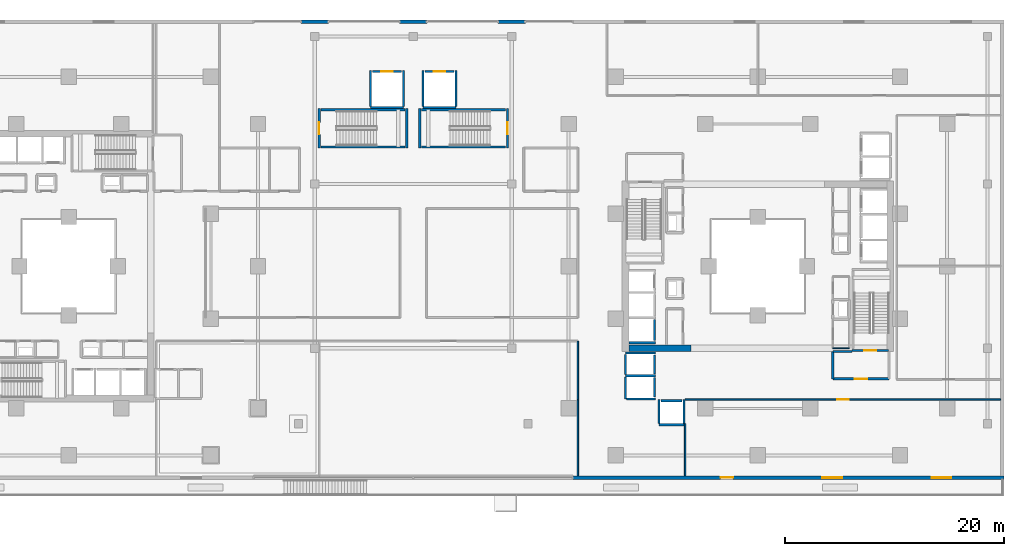
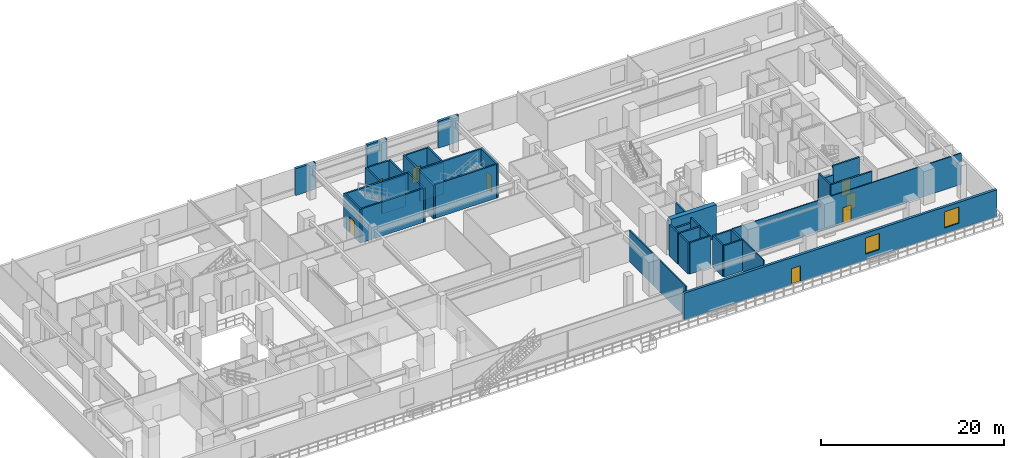
# One storey, part 16 of 25: 43 walls, 8 doors, 2 windows, 10 openings.
"""IFC4 building model written with IfcOpenShell, lengths in metres."""

from ifc_helpers import new_model, si_unit, direction, frame, frame_2d, origin, place, context, subcontext, project, spatial, rectangle, extrude, material, layer, layer_set, type_object, element, fill, save


model = new_model("IFC4")

# Units and contexts
model_context = context("Model", 3, precision=1e-05, world=origin(), true_north=direction((0.0, 1.0)))
body_context = subcontext(model_context, "Body", "Model", "MODEL_VIEW")
ifc_project = project(units=[si_unit("LENGTHUNIT", "METRE"), si_unit("AREAUNIT", "SQUARE_METRE"), si_unit("VOLUMEUNIT", "CUBIC_METRE"), si_unit("PLANEANGLEUNIT", "RADIAN"), si_unit("MASSUNIT", "GRAM", prefix="KILO")], contexts=[model_context])

# Site, building, storey
site_placement = place(None, origin())
site = spatial("IfcSite", under=ifc_project, at=site_placement, CompositionType="ELEMENT")
building_placement = place(site_placement, origin())
building = spatial("IfcBuilding", under=site, at=building_placement, Name="Thornwick Lancets Civic Towers", CompositionType="ELEMENT")
storey_placement = place(building_placement, frame((0.0, 0.0, 9.60009765625)))
storey = spatial("IfcBuildingStorey", under=building, at=storey_placement, Name="L02", CompositionType="ELEMENT", Elevation=9.60009765625)

# Walls
ifc_material_1 = material(Name="Concrete blockwork C40/50", Category="masonry")
ifc_layer_1 = layer(ifc_material_1, 0.199951171875, Name="Concrete blockwork C40/50")
ifc_layer_set_1 = layer_set([ifc_layer_1], Name="Concrete blockwork C40/50")
wall_type_1 = type_object("IfcWallType", Name="WALL_COMP_200", PredefinedType="STANDARD", material=ifc_layer_set_1)
wall_1_placement = place(storey_placement, frame((79.050048828125, 20.179931640625, 0.0), z_axis=(0.0, 0.0, 1.0), x_axis=(0.0, 1.0, 0.0)))
element("IfcWall", 1, at=wall_1_placement, inside=storey, type_object=wall_type_1, Name="L02 Hoistway Front Wall PL-BH3", PredefinedType="STANDARD", context=body_context, shape_type="SweptSolid", body=[
    extrude(rectangle(XDim=1.940185546875, YDim=0.199951171875, at=frame_2d((0.97021484375, 0.0))), origin(), (0.0, 0.0, 1.0), 4.159912109375),
])
wall_2_placement = place(storey_placement, frame((79.050048828125, 17.1298828125, 0.0), z_axis=(0.0, 0.0, 1.0), x_axis=(0.0, 1.0, 0.0)))
element("IfcWall", 2, at=wall_2_placement, inside=storey, type_object=wall_type_1, Name="L02 Hoistway Front Wall PL-BM1", PredefinedType="STANDARD", context=body_context, shape_type="SweptSolid", body=[
    extrude(rectangle(XDim=1.740234375, YDim=0.199951171875, at=frame_2d((0.8701171875, 0.0))), origin(), (0.0, 0.0, 1.0), 4.159912109375),
])
wall_3_placement = place(storey_placement, frame((79.050048828125, 15.030029296875, 0.0), z_axis=(0.0, 0.0, 1.0), x_axis=(0.0, 1.0, 0.0)))
element("IfcWall", 3, at=wall_3_placement, inside=storey, type_object=wall_type_1, Name="L02 Hoistway Front Wall PL-BM2", PredefinedType="STANDARD", context=body_context, shape_type="SweptSolid", body=[
    extrude(rectangle(XDim=1.7900390625, YDim=0.199951171875, at=frame_2d((0.89501953125, 0.0))), origin(), (0.0, 0.0, 1.0), 4.159912109375),
])
wall_4_placement = place(storey_placement, frame((79.6298828125, 14.699951171875, 0.0), z_axis=(0.0, 0.0, 1.0), x_axis=(1.0, 0.0, 0.0)))
element("IfcWall", 4, at=wall_4_placement, inside=storey, type_object=wall_type_1, Name="L02 Hoistway Front Wall PL-BM3", PredefinedType="STANDARD", context=body_context, shape_type="SweptSolid", body=[
    extrude(rectangle(XDim=1.940185546875, YDim=0.199951171875, at=frame_2d((0.97021484375, 0.0))), origin(), (0.0, 0.0, 1.0), 4.159912109375),
])

# Wall, opening, door
wall_5_placement = place(storey_placement, frame((53.280029296875, 44.800048828125, 0.0), z_axis=(0.0, 0.0, 1.0), x_axis=(1.0, 0.0, 0.0)))
wall_5 = element("IfcWall", 5, at=wall_5_placement, inside=storey, type_object=wall_type_1, Name="L02 Hoistway Front Wall GL-P1", PredefinedType="STANDARD", context=body_context, shape_type="SweptSolid", body=[
    extrude(rectangle(XDim=2.639892578125, YDim=0.199951171875, at=frame_2d((1.31982421875, 0.0))), origin(), (0.0, 0.0, 1.0), 4.159912109375),
])
opening_1_placement = place(wall_5_placement, frame((0.81005859375, 0.0, 0.0)))
opening_1 = element("IfcOpeningElement", 6, at=opening_1_placement, cuts=wall_5, Name="Opening LD-GL-P1", PredefinedType="OPENING", context=body_context, shape_type="SweptSolid", body=[
    extrude(rectangle(XDim=1.02001953125, YDim=2.06005859375, at=frame_2d((0.510009765625, 1.030029296875))), frame((0.0, 0.10986328125, 0.0), z_axis=(0.0, -1.0, 0.0), x_axis=(1.0, 0.0, 0.0)), (0.0, 0.0, 1.0), 0.219970703125),
])
ifc_material_2 = material(Name="Brushed bronze stainless steel", Category="steel")
door_type_1 = type_object("IfcDoorType", Name="DOOR_LIFT_SLIDE", OperationType="SLIDING_TO_LEFT", PredefinedType="DOOR", material=ifc_material_2)
door_1_placement = place(opening_1_placement, origin())
door_1 = element("IfcDoor", 7, at=door_1_placement, inside=storey, type_object=door_type_1, Name="L02 Sliding Lift Landing Door LD-GL-P1", OperationType="SLIDING_TO_LEFT", OverallHeight=2.06005859375, OverallWidth=1.02001953125, PredefinedType="DOOR", context=body_context, shape_type="SweptSolid", body=[
    extrude(rectangle(XDim=1.02001953125, YDim=2.06005859375, at=frame_2d((0.510009765625, 1.030029296875))), frame((0.0, 0.02490234375, 0.0), z_axis=(0.0, -1.0, 0.0), x_axis=(1.0, 0.0, 0.0)), (0.0, 0.0, 1.0), 0.050048828125),
])
fill(opening_1, door_1)

wall_6_placement = place(storey_placement, frame((58.080078125, 44.800048828125, 0.0), z_axis=(0.0, 0.0, 1.0), x_axis=(1.0, 0.0, 0.0)))
wall_6 = element("IfcWall", 8, at=wall_6_placement, inside=storey, type_object=wall_type_1, Name="L02 Hoistway Front Wall GL-P2", PredefinedType="STANDARD", context=body_context, shape_type="SweptSolid", body=[
    extrude(rectangle(XDim=2.639892578125, YDim=0.199951171875, at=frame_2d((1.31982421875, 0.0))), origin(), (0.0, 0.0, 1.0), 4.159912109375),
])
opening_2_placement = place(wall_6_placement, frame((0.81005859375, 0.0, 0.0)))
opening_2 = element("IfcOpeningElement", 9, at=opening_2_placement, cuts=wall_6, Name="Opening LD-GL-P2", PredefinedType="OPENING", context=body_context, shape_type="SweptSolid", body=[
    extrude(rectangle(XDim=1.02001953125, YDim=2.06005859375, at=frame_2d((0.510009765625, 1.030029296875))), frame((0.0, 0.10986328125, 0.0), z_axis=(0.0, -1.0, 0.0), x_axis=(1.0, 0.0, 0.0)), (0.0, 0.0, 1.0), 0.219970703125),
])
door_2_placement = place(opening_2_placement, origin())
door_2 = element("IfcDoor", 10, at=door_2_placement, inside=storey, type_object=door_type_1, Name="L02 Sliding Lift Landing Door LD-GL-P2", OperationType="SLIDING_TO_LEFT", OverallHeight=2.06005859375, OverallWidth=1.02001953125, PredefinedType="DOOR", context=body_context, shape_type="SweptSolid", body=[
    extrude(rectangle(XDim=1.02001953125, YDim=2.06005859375, at=frame_2d((0.510009765625, 1.030029296875))), frame((0.0, 0.02490234375, 0.0), z_axis=(0.0, -1.0, 0.0), x_axis=(1.0, 0.0, 0.0)), (0.0, 0.0, 1.0), 0.050048828125),
])
fill(opening_2, door_2)

# Walls
wall_7_placement = place(storey_placement, frame((76.7119140625, 20.0, 0.0), z_axis=(0.0, 0.0, 1.0), x_axis=(1.0, 0.0, 0.0)))
element("IfcWall", 11, at=wall_7_placement, inside=storey, type_object=wall_type_1, Name="L02 Hoistway Shaft Wall PL-BH3 S", PredefinedType="STANDARD", context=body_context, shape_type="SweptSolid", body=[
    extrude(rectangle(XDim=2.43603515625, YDim=0.199951171875, at=frame_2d((1.218017578125, 0.0))), origin(), (0.0, 0.0, 1.0), 4.159912109375),
])
wall_8_placement = place(storey_placement, frame((76.402099609375, 19.050048828125, 0.0), z_axis=(0.0, 0.0, 1.0), x_axis=(1.0, 0.0, 0.0)))
element("IfcWall", 12, at=wall_8_placement, inside=storey, type_object=wall_type_1, Name="L02 Hoistway Shaft Wall PL-BM1 N", PredefinedType="STANDARD", context=body_context, shape_type="SweptSolid", body=[
    extrude(rectangle(XDim=2.745849609375, YDim=0.199951171875, at=frame_2d((1.373046875, 0.0))), origin(), (0.0, 0.0, 1.0), 3.364990234375),
])
wall_9_placement = place(storey_placement, frame((76.402099609375, 16.97509765625, 0.0), z_axis=(0.0, 0.0, 1.0), x_axis=(1.0, 0.0, 0.0)))
element("IfcWall", 13, at=wall_9_placement, inside=storey, type_object=wall_type_1, Name="L02 Hoistway Shaft Wall PL-BM1 S", PredefinedType="STANDARD", context=body_context, shape_type="SweptSolid", body=[
    extrude(rectangle(XDim=2.745849609375, YDim=0.199951171875, at=frame_2d((1.373046875, 0.0))), origin(), (0.0, 0.0, 1.0), 4.159912109375),
])
wall_10_placement = place(storey_placement, frame((76.39990234375, 14.85205078125, 0.0), z_axis=(0.0, 0.0, 1.0), x_axis=(0.0, 1.0, 0.0)))
element("IfcWall", 14, at=wall_10_placement, inside=storey, type_object=wall_type_1, Name="L02 Hoistway Shaft Wall PL-BM1 W", PredefinedType="STANDARD", context=body_context, shape_type="SweptSolid", body=[
    extrude(rectangle(XDim=2.015869140625, YDim=0.199951171875, at=frame_2d((1.0078125, 0.0))), origin(), (0.0, 0.0, 1.0), 4.159912109375),
])
wall_11_placement = place(storey_placement, frame((76.39990234375, 17.08203125, 0.0), z_axis=(0.0, 0.0, 1.0), x_axis=(0.0, 1.0, 0.0)))
element("IfcWall", 15, at=wall_11_placement, inside=storey, type_object=wall_type_1, Name="L02 Hoistway Shaft Wall PL-BM1 W", PredefinedType="STANDARD", context=body_context, shape_type="SweptSolid", body=[
    extrude(rectangle(XDim=1.85595703125, YDim=0.199951171875, at=frame_2d((0.927978515625, 0.0))), origin(), (0.0, 0.0, 1.0), 4.159912109375),
])
wall_12_placement = place(storey_placement, frame((76.511962890625, 14.85009765625, 0.0), z_axis=(0.0, 0.0, 1.0), x_axis=(1.0, 0.0, 0.0)))
element("IfcWall", 16, at=wall_12_placement, inside=storey, type_object=wall_type_1, Name="L02 Hoistway Shaft Wall PL-BM2 S", PredefinedType="STANDARD", context=body_context, shape_type="SweptSolid", body=[
    extrude(rectangle(XDim=2.635986328125, YDim=0.199951171875, at=frame_2d((1.31787109375, 0.0))), origin(), (0.0, 0.0, 1.0), 4.159912109375),
])
wall_13_placement = place(storey_placement, frame((79.451904296875, 12.5, 0.0), z_axis=(0.0, 0.0, 1.0), x_axis=(1.0, 0.0, 0.0)))
element("IfcWall", 17, at=wall_13_placement, inside=storey, type_object=wall_type_1, Name="L02 Hoistway Shaft Wall PL-BM3 S", PredefinedType="STANDARD", context=body_context, shape_type="SweptSolid", body=[
    extrude(rectangle(XDim=2.296142578125, YDim=0.199951171875, at=frame_2d((1.14794921875, 0.0))), origin(), (0.0, 0.0, 1.0), 4.159912109375),
])
for number, where, z_axis, x_axis, name in (
    (18, (81.75, 12.612060546875, 0.0), (0.0, 0.0, 1.0), (0.0, 1.0, 0.0), "L02 Hoistway Shaft Wall PL-BM3 E"),
    (19, (79.449951171875, 12.612060546875, 0.0), (0.0, 0.0, 1.0), (0.0, 1.0, 0.0), "L02 Hoistway Shaft Wall PL-BM3 W"),
):
    element("IfcWall", number, at=place(storey_placement, frame(where, z_axis=z_axis, x_axis=x_axis)), inside=storey, type_object=wall_type_1, Name=name, PredefinedType="STANDARD", context=body_context, shape_type="SweptSolid", body=[
        extrude(rectangle(XDim=2.18603515625, YDim=0.199951171875, at=frame_2d((1.093017578125, 0.0))), origin(), (0.0, 0.0, 1.0), 4.159912109375),
    ])
wall_14_placement = place(storey_placement, frame((53.10205078125, 41.5, 0.0), z_axis=(0.0, 0.0, 1.0), x_axis=(1.0, 0.0, 0.0)))
element("IfcWall", 20, at=wall_14_placement, inside=storey, type_object=wall_type_1, Name="L02 Hoistway Shaft Wall GL-P1 S", PredefinedType="STANDARD", context=body_context, shape_type="SweptSolid", body=[
    extrude(rectangle(XDim=2.995849609375, YDim=0.199951171875, at=frame_2d((1.498046875, 0.0))), origin(), (0.0, 0.0, 1.0), 4.159912109375),
])
for number, where, z_axis, x_axis, name in (
    (21, (56.10009765625, 41.612060546875, 0.0), (0.0, 0.0, 1.0), (0.0, 1.0, 0.0), "L02 Hoistway Shaft Wall GL-P1 E"),
    (22, (53.10009765625, 41.612060546875, 0.0), (0.0, 0.0, 1.0), (0.0, 1.0, 0.0), "L02 Hoistway Shaft Wall GL-P1 W"),
):
    element("IfcWall", number, at=place(storey_placement, frame(where, z_axis=z_axis, x_axis=x_axis)), inside=storey, type_object=wall_type_1, Name=name, PredefinedType="STANDARD", context=body_context, shape_type="SweptSolid", body=[
        extrude(rectangle(XDim=3.285888671875, YDim=0.199951171875, at=frame_2d((1.64306640625, 0.0))), origin(), (0.0, 0.0, 1.0), 4.159912109375),
    ])
wall_15_placement = place(storey_placement, frame((57.902099609375, 41.5, 0.0), z_axis=(0.0, 0.0, 1.0), x_axis=(1.0, 0.0, 0.0)))
element("IfcWall", 23, at=wall_15_placement, inside=storey, type_object=wall_type_1, Name="L02 Hoistway Shaft Wall GL-P2 S", PredefinedType="STANDARD", context=body_context, shape_type="SweptSolid", body=[
    extrude(rectangle(XDim=2.995849609375, YDim=0.199951171875, at=frame_2d((1.498046875, 0.0))), origin(), (0.0, 0.0, 1.0), 4.159912109375),
])
for number, where, z_axis, x_axis, name in (
    (24, (60.89990234375, 41.612060546875, 0.0), (0.0, 0.0, 1.0), (0.0, 1.0, 0.0), "L02 Hoistway Shaft Wall GL-P2 E"),
    (25, (57.89990234375, 41.612060546875, 0.0), (0.0, 0.0, 1.0), (0.0, 1.0, 0.0), "L02 Hoistway Shaft Wall GL-P2 W"),
):
    element("IfcWall", number, at=place(storey_placement, frame(where, z_axis=z_axis, x_axis=x_axis)), inside=storey, type_object=wall_type_1, Name=name, PredefinedType="STANDARD", context=body_context, shape_type="SweptSolid", body=[
        extrude(rectangle(XDim=3.285888671875, YDim=0.199951171875, at=frame_2d((1.64306640625, 0.0))), origin(), (0.0, 0.0, 1.0), 4.159912109375),
    ])

# Wall, opening, door
wall_16_placement = place(storey_placement, frame((95.35009765625, 16.699951171875, 0.0), z_axis=(0.0, 0.0, 1.0), x_axis=(1.0, 0.0, 0.0)))
wall_16 = element("IfcWall", 26, at=wall_16_placement, inside=storey, type_object=wall_type_1, Name="L02 Partition L02-B-FFLOB1 E1", PredefinedType="STANDARD", context=body_context, shape_type="SweptSolid", body=[
    extrude(rectangle(XDim=5.14990234375, YDim=0.199951171875, at=frame_2d((2.574951171875, 0.0))), origin(), (0.0, 0.0, 1.0), 4.159912109375),
])
opening_3_placement = place(wall_16_placement, frame((2.0, 0.0, 0.0)))
opening_3 = element("IfcOpeningElement", 27, at=opening_3_placement, cuts=wall_16, Name="Opening D-L02-0150", PredefinedType="OPENING", context=body_context, shape_type="SweptSolid", body=[
    extrude(rectangle(XDim=1.14990234375, YDim=2.10009765625, at=frame_2d((0.574951171875, 1.050048828125))), frame((0.0, 0.10986328125, 0.0), z_axis=(0.0, -1.0, 0.0), x_axis=(1.0, 0.0, 0.0)), (0.0, 0.0, 1.0), 0.219970703125),
])
ifc_material_3 = material(Name="Glazed fire-resisting steel", Category="steel")
door_type_2 = type_object("IfcDoorType", Name="DOOR_LOBBY_FD60", OperationType="NOTDEFINED", PredefinedType="DOOR", material=ifc_material_3)
door_3_placement = place(opening_3_placement, origin())
door_3 = element("IfcDoor", 28, at=door_3_placement, inside=storey, type_object=door_type_2, Name="L02 East Firefighting Lobby 1 Door", OperationType="SINGLE_SWING_LEFT", OverallHeight=2.10009765625, OverallWidth=1.14990234375, PredefinedType="DOOR", context=body_context, shape_type="SweptSolid", body=[
    extrude(rectangle(XDim=1.14990234375, YDim=2.10009765625, at=frame_2d((0.574951171875, 1.050048828125))), frame((0.0, 0.02490234375, 0.0), z_axis=(0.0, -1.0, 0.0), x_axis=(1.0, 0.0, 0.0)), (0.0, 0.0, 1.0), 0.050048828125),
])
fill(opening_3, door_3)

# Walls
wall_17_placement = place(storey_placement, frame((97.10009765625, 19.199951171875, 0.0), z_axis=(0.0, 0.0, 1.0), x_axis=(-1.0, 0.0, 0.0)))
element("IfcWall", 29, at=wall_17_placement, inside=storey, type_object=wall_type_1, Name="L02 Partition L02-B-FFLOB1 E3", PredefinedType="STANDARD", context=body_context, shape_type="SweptSolid", body=[
    extrude(rectangle(XDim=1.75, YDim=0.199951171875, at=frame_2d((0.875, 0.0))), origin(), (0.0, 0.0, 1.0), 3.364990234375),
])
wall_18_placement = place(storey_placement, frame((95.35009765625, 19.199951171875, 0.0), z_axis=(0.0, 0.0, 1.0), x_axis=(0.0, -1.0, 0.0)))
element("IfcWall", 30, at=wall_18_placement, inside=storey, type_object=wall_type_1, Name="L02 Partition L02-B-FFLOB1 E4", PredefinedType="STANDARD", context=body_context, shape_type="SweptSolid", body=[
    extrude(rectangle(XDim=2.5, YDim=0.199951171875, at=frame_2d((1.25, 0.0))), origin(), (0.0, 0.0, 1.0), 4.159912109375),
])
ifc_material_4 = material(Name="Concrete C60/75", Category="concrete")
ifc_layer_2 = layer(ifc_material_4, 0.60009765625, Name="Concrete C60/75")
ifc_layer_set_2 = layer_set([ifc_layer_2], Name="Concrete C60/75")
wall_type_2 = type_object("IfcWallType", Name="WALL_CORE_600", PredefinedType="SHEAR", material=ifc_layer_set_2)
wall_19_placement = place(storey_placement, frame((76.699951171875, 19.5, 0.0), z_axis=(0.0, 0.0, 1.0), x_axis=(1.0, 0.0, 0.0)))
element("IfcWall", 31, at=wall_19_placement, inside=storey, type_object=wall_type_2, Name="L02 Split Core B2 Shear Wall S", PredefinedType="SHEAR", context=body_context, shape_type="SweptSolid", body=[
    extrude(rectangle(XDim=5.699951171875, YDim=0.60009765625, at=frame_2d((2.85009765625, 0.0))), origin(), (0.0, 0.0, 1.0), 4.5),
])

# Wall, openings, door, windows
ifc_material_5 = material(Name="Insulated buff terracotta rainscreen on concrete C40/50", Category="masonry")
ifc_layer_3 = layer(ifc_material_5, 0.320068359375, Name="Insulated buff terracotta rainscreen on concrete C40/50")
ifc_layer_set_3 = layer_set([ifc_layer_3], Name="Insulated buff terracotta rainscreen on concrete C40/50")
wall_type_3 = type_object("IfcWallType", Name="WALL_EXT_TERRA_320", PredefinedType="STANDARD", material=ifc_layer_set_3)
wall_20_placement = place(storey_placement, frame((71.60009765625, 7.659912109375, 0.0), z_axis=(0.0, 0.0, 1.0), x_axis=(1.0, 0.0, 0.0)))
wall_20 = element("IfcWall", 32, at=wall_20_placement, inside=storey, type_object=wall_type_3, Name="L02 Podium South-East Facade Wall", PredefinedType="STANDARD", context=body_context, shape_type="SweptSolid", body=[
    extrude(rectangle(XDim=39.39990234375, YDim=0.320068359375, at=frame_2d((19.699951171875, 0.0))), origin(), (0.0, 0.0, 1.0), 3.559814453125),
])
opening_4_placement = place(wall_20_placement, frame((13.5, 0.0, 0.0)))
opening_4 = element("IfcOpeningElement", 33, at=opening_4_placement, cuts=wall_20, Name="Opening D-TR-L02-2", PredefinedType="OPENING", context=body_context, shape_type="SweptSolid", body=[
    extrude(rectangle(XDim=1.14990234375, YDim=2.10009765625, at=frame_2d((0.574951171875, 1.050048828125))), frame((0.0, 0.169921875, 0.0), z_axis=(0.0, -1.0, 0.0), x_axis=(1.0, 0.0, 0.0)), (0.0, 0.0, 1.0), 0.340087890625),
])
opening_5_placement = place(wall_20_placement, frame((22.800048828125, 0.0, 0.780029296875)))
opening_5 = element("IfcOpeningElement", 34, at=opening_5_placement, cuts=wall_20, Name="Opening WP-18", PredefinedType="OPENING", context=body_context, shape_type="SweptSolid", body=[
    extrude(rectangle(XDim=1.800048828125, YDim=2.14990234375, at=frame_2d((0.89990234375, 1.074951171875))), frame((0.0, 0.169921875, 0.0), z_axis=(0.0, -1.0, 0.0), x_axis=(1.0, 0.0, 0.0)), (0.0, 0.0, 1.0), 0.340087890625),
])
opening_6_placement = place(wall_20_placement, frame((32.800048828125, 0.0, 0.780029296875)))
opening_6 = element("IfcOpeningElement", 35, at=opening_6_placement, cuts=wall_20, Name="Opening WP-18", PredefinedType="OPENING", context=body_context, shape_type="SweptSolid", body=[
    extrude(rectangle(XDim=1.800048828125, YDim=2.14990234375, at=frame_2d((0.89990234375, 1.074951171875))), frame((0.0, 0.169921875, 0.0), z_axis=(0.0, -1.0, 0.0), x_axis=(1.0, 0.0, 0.0)), (0.0, 0.0, 1.0), 0.340087890625),
])
ifc_material_6 = material(Name="Thermally broken glazed terrace doorset")
door_type_3 = type_object("IfcDoorType", Name="DOOR_TERRACE_1200", OperationType="NOTDEFINED", PredefinedType="DOOR", material=ifc_material_6)
door_4_placement = place(opening_4_placement, origin())
door_4 = element("IfcDoor", 36, at=door_4_placement, inside=storey, type_object=door_type_3, Name="L02 Cascading Garden Terrace Door 2", OperationType="SINGLE_SWING_RIGHT", OverallHeight=2.10009765625, OverallWidth=1.14990234375, PredefinedType="DOOR", context=body_context, shape_type="SweptSolid", body=[
    extrude(rectangle(XDim=1.14990234375, YDim=2.10009765625, at=frame_2d((0.574951171875, 1.050048828125))), frame((0.0, 0.02490234375, 0.0), z_axis=(0.0, -1.0, 0.0), x_axis=(1.0, 0.0, 0.0)), (0.0, 0.0, 1.0), 0.050048828125),
])
fill(opening_4, door_4)
ifc_material_7 = material(Name="Pointed lancet clear glass window", Category="glass")
window_type = type_object("IfcWindowType", Name="WIN_PODIUM_1800", PartitioningType="SINGLE_PANEL", PredefinedType="WINDOW", material=ifc_material_7)
window_1_placement = place(opening_5_placement, origin())
window_1 = element("IfcWindow", 37, at=window_1_placement, inside=storey, type_object=window_type, Name="L02 Podium Lancet Window 3", OverallHeight=2.14990234375, OverallWidth=1.800048828125, PartitioningType="SINGLE_PANEL", PredefinedType="WINDOW", context=body_context, shape_type="SweptSolid", body=[
    extrude(rectangle(XDim=1.800048828125, YDim=2.14990234375, at=frame_2d((0.89990234375, 1.074951171875))), frame((0.0, 0.030029296875, 0.0), z_axis=(0.0, -1.0, 0.0), x_axis=(1.0, 0.0, 0.0)), (0.0, 0.0, 1.0), 0.06005859375),
])
fill(opening_5, window_1)
window_2_placement = place(opening_6_placement, origin())
window_2 = element("IfcWindow", 38, at=window_2_placement, inside=storey, type_object=window_type, Name="L02 Podium Lancet Window 4", OverallHeight=2.14990234375, OverallWidth=1.800048828125, PartitioningType="SINGLE_PANEL", PredefinedType="WINDOW", context=body_context, shape_type="SweptSolid", body=[
    extrude(rectangle(XDim=1.800048828125, YDim=2.14990234375, at=frame_2d((0.89990234375, 1.074951171875))), frame((0.0, 0.030029296875, 0.0), z_axis=(0.0, -1.0, 0.0), x_axis=(1.0, 0.0, 0.0)), (0.0, 0.0, 1.0), 0.06005859375),
])
fill(opening_6, window_2)

# Walls
for number, where, z_axis, x_axis, name in (
    (39, (67.25, 49.340087890625, 0.0), (0.0, 0.0, 1.0), (-1.0, 0.0, 0.0), "L02 Podium North Facade Pier 1"),
    (40, (58.25, 49.340087890625, 0.0), (0.0, 0.0, 1.0), (-1.0, 0.0, 0.0), "L02 Podium North Facade Pier 2"),
    (41, (49.25, 49.340087890625, 0.0), (0.0, 0.0, 1.0), (-1.0, 0.0, 0.0), "L02 Podium North Facade Pier 3"),
):
    element("IfcWall", number, at=place(storey_placement, frame(where, z_axis=z_axis, x_axis=x_axis)), inside=storey, type_object=wall_type_3, Name=name, PredefinedType="STANDARD", context=body_context, shape_type="SweptSolid", body=[
        extrude(rectangle(XDim=2.5, YDim=0.320068359375, at=frame_2d((1.25, 0.0))), origin(), (0.0, 0.0, 1.0), 3.559814453125),
    ])
ifc_material_8 = material(Name="Lightweight cellular office partition")
ifc_layer_4 = layer(ifc_material_8, 0.10009765625, Name="Lightweight cellular office partition")
ifc_layer_set_4 = layer_set([ifc_layer_4], Name="Lightweight cellular office partition")
wall_type_4 = type_object("IfcWallType", Name="WALL_PART_100", PredefinedType="PARTITIONING", material=ifc_layer_set_4)
wall_21_placement = place(storey_placement, frame((95.35009765625, 19.5, 0.0), z_axis=(0.0, 0.0, 1.0), x_axis=(1.0, 0.0, 0.0)))
element("IfcWall", 42, at=wall_21_placement, inside=storey, type_object=wall_type_4, Name="L02 Partition L02-B-CLN E1", PredefinedType="PARTITIONING", context=body_context, shape_type="SweptSolid", body=[
    extrude(rectangle(XDim=1.5, YDim=0.10009765625, at=frame_2d((0.75, 0.0))), origin(), (0.0, 0.0, 1.0), 3.364990234375),
])
ifc_material_9 = material(Name="Acoustic gypsum board partition")
ifc_layer_5 = layer(ifc_material_9, 0.1201171875, Name="Acoustic gypsum board partition")
ifc_layer_set_5 = layer_set([ifc_layer_5], Name="Acoustic gypsum board partition")
wall_type_5 = type_object("IfcWallType", Name="WALL_PART_120", PredefinedType="PARTITIONING", material=ifc_layer_set_5)
wall_22_placement = place(storey_placement, frame((81.85009765625, 7.820068359375, 0.0), z_axis=(0.0, 0.0, 1.0), x_axis=(0.0, 1.0, 0.0)))
element("IfcWall", 43, at=wall_22_placement, inside=storey, type_object=wall_type_5, Name="L02 Partition L02-SSE E2", PredefinedType="PARTITIONING", context=body_context, shape_type="SweptSolid", body=[
    extrude(rectangle(XDim=4.7919921875, YDim=0.1201171875, at=frame_2d((2.39599609375, 0.0))), origin(), (0.0, 0.0, 1.0), 4.159912109375),
])

# Wall, opening, door
wall_23_placement = place(storey_placement, frame((81.85009765625, 14.800048828125, 0.0), z_axis=(0.0, 0.0, 1.0), x_axis=(1.0, 0.0, 0.0)))
wall_23 = element("IfcWall", 44, at=wall_23_placement, inside=storey, type_object=wall_type_5, Name="L02 Partition L02-SSE E3", PredefinedType="PARTITIONING", context=body_context, shape_type="SweptSolid", body=[
    extrude(rectangle(XDim=28.849853515625, YDim=0.1201171875, at=frame_2d((14.4248046875, 0.0))), origin(), (0.0, 0.0, 1.0), 4.159912109375),
])
opening_7_placement = place(wall_23_placement, frame((13.89990234375, 0.0, 0.0)))
opening_7 = element("IfcOpeningElement", 45, at=opening_7_placement, cuts=wall_23, Name="Opening D-L02-0177", PredefinedType="OPENING", context=body_context, shape_type="SweptSolid", body=[
    extrude(rectangle(XDim=1.050048828125, YDim=2.10009765625, at=frame_2d((0.52490234375, 1.050048828125))), frame((0.0, 0.070068359375, 0.0), z_axis=(0.0, -1.0, 0.0), x_axis=(1.0, 0.0, 0.0)), (0.0, 0.0, 1.0), 0.14013671875),
])
ifc_material_10 = material(Name="Glazed European oak executive doorset")
door_type_4 = type_object("IfcDoorType", Name="DOOR_OFFICE_1050", OperationType="NOTDEFINED", PredefinedType="DOOR", material=ifc_material_10)
door_5_placement = place(opening_7_placement, origin())
door_5 = element("IfcDoor", 46, at=door_5_placement, inside=storey, type_object=door_type_4, Name="L02 South-East Policy Unit Door", OperationType="SINGLE_SWING_RIGHT", OverallHeight=2.10009765625, OverallWidth=1.050048828125, PredefinedType="DOOR", context=body_context, shape_type="SweptSolid", body=[
    extrude(rectangle(XDim=1.050048828125, YDim=2.10009765625, at=frame_2d((0.52490234375, 1.050048828125))), frame((0.0, 0.02490234375, 0.0), z_axis=(0.0, -1.0, 0.0), x_axis=(1.0, 0.0, 0.0)), (0.0, 0.0, 1.0), 0.050048828125),
])
fill(opening_7, door_5)

# Walls
ifc_material_11 = material(Name="Twin-stud acoustic gypsum board")
ifc_layer_6 = layer(ifc_material_11, 0.14990234375, Name="Twin-stud acoustic gypsum board")
ifc_layer_set_6 = layer_set([ifc_layer_6], Name="Twin-stud acoustic gypsum board")
wall_type_6 = type_object("IfcWallType", Name="WALL_PART_150", PredefinedType="PARTITIONING", material=ifc_layer_set_6)
wall_24_placement = place(storey_placement, frame((72.050048828125, 20.14990234375, 0.0), z_axis=(0.0, 0.0, 1.0), x_axis=(0.0, -1.0, 0.0)))
element("IfcWall", 47, at=wall_24_placement, inside=storey, type_object=wall_type_6, Name="L02 Partition L02-TRIB E4", PredefinedType="PARTITIONING", context=body_context, shape_type="SweptSolid", body=[
    extrude(rectangle(XDim=5.349853515625, YDim=0.14990234375, at=frame_2d((2.6748046875, 0.0))), origin(), (0.0, 0.0, 1.0), 4.159912109375),
])
wall_25_placement = place(storey_placement, frame((72.050048828125, 14.800048828125, 0.0), z_axis=(0.0, 0.0, 1.0), x_axis=(0.0, -1.0, 0.0)))
element("IfcWall", 48, at=wall_25_placement, inside=storey, type_object=wall_type_6, Name="L02 Partition L02-TRIB E5", PredefinedType="PARTITIONING", context=body_context, shape_type="SweptSolid", body=[
    extrude(rectangle(XDim=6.97998046875, YDim=0.14990234375, at=frame_2d((3.489990234375, 0.0))), origin(), (0.0, 0.0, 1.0), 4.159912109375),
])

# Wall, opening, door
ifc_material_12 = material(Name="Concrete C40/50", Category="concrete")
ifc_layer_7 = layer(ifc_material_12, 0.199951171875, Name="Concrete C40/50")
ifc_layer_set_7 = layer_set([ifc_layer_7], Name="Concrete C40/50")
wall_type_7 = type_object("IfcWallType", Name="WALL_SHAFT_200", PredefinedType="SHEAR", material=ifc_layer_set_7)
wall_26_placement = place(storey_placement, frame((100.449951171875, 19.300048828125, 0.0), z_axis=(0.0, 0.0, 1.0), x_axis=(-1.0, 0.0, 0.0)))
wall_26 = element("IfcWall", 49, at=wall_26_placement, inside=storey, type_object=wall_type_7, Name="L02 ST-B1 Fire Stair Core Wall NEAR", PredefinedType="SHEAR", context=body_context, shape_type="SweptSolid", body=[
    extrude(rectangle(XDim=3.349853515625, YDim=0.199951171875, at=frame_2d((1.6748046875, 0.0))), origin(), (0.0, 0.0, 1.0), 4.5),
])
opening_8_placement = place(wall_26_placement, frame((1.125, 0.0, 0.0)))
opening_8 = element("IfcOpeningElement", 50, at=opening_8_placement, cuts=wall_26, Name="Opening D-ST-B1-L02", PredefinedType="OPENING", context=body_context, shape_type="SweptSolid", body=[
    extrude(rectangle(XDim=1.10009765625, YDim=2.10009765625, at=frame_2d((0.550048828125, 1.050048828125))), frame((0.0, 0.10986328125, 0.0), z_axis=(0.0, -1.0, 0.0), x_axis=(1.0, 0.0, 0.0)), (0.0, 0.0, 1.0), 0.219970703125),
])
ifc_material_13 = material(Name="Fire-resisting steel and hardwood", Category="steel")
door_type_5 = type_object("IfcDoorType", Name="DOOR_STAIR_FD60", OperationType="NOTDEFINED", PredefinedType="DOOR", material=ifc_material_13)
door_6_placement = place(opening_8_placement, origin())
door_6 = element("IfcDoor", 51, at=door_6_placement, inside=storey, type_object=door_type_5, Name="L02 ST-B1 Exit Stair Door", OperationType="SINGLE_SWING_LEFT", OverallHeight=2.10009765625, OverallWidth=1.10009765625, PredefinedType="DOOR", context=body_context, shape_type="SweptSolid", body=[
    extrude(rectangle(XDim=1.10009765625, YDim=2.10009765625, at=frame_2d((0.550048828125, 1.050048828125))), frame((0.0, 0.02490234375, 0.0), z_axis=(0.0, -1.0, 0.0), x_axis=(1.0, 0.0, 0.0)), (0.0, 0.0, 1.0), 0.050048828125),
])
fill(opening_8, door_6)

wall_27_placement = place(storey_placement, frame((48.39990234375, 37.800048828125, 0.0), z_axis=(0.0, 0.0, 1.0), x_axis=(0.0, 1.0, 0.0)))
wall_27 = element("IfcWall", 52, at=wall_27_placement, inside=storey, type_object=wall_type_7, Name="L02 ST-P5 Fire Stair Core Wall NEAR", PredefinedType="SHEAR", context=body_context, shape_type="SweptSolid", body=[
    extrude(rectangle(XDim=3.599853515625, YDim=0.199951171875, at=frame_2d((1.7998046875, 0.0))), origin(), (0.0, 0.0, 1.0), 4.5),
])
opening_9_placement = place(wall_27_placement, frame((1.25, 0.0, 0.0)))
opening_9 = element("IfcOpeningElement", 53, at=opening_9_placement, cuts=wall_27, Name="Opening D-ST-P5-L02", PredefinedType="OPENING", context=body_context, shape_type="SweptSolid", body=[
    extrude(rectangle(XDim=1.10009765625, YDim=2.10009765625, at=frame_2d((0.550048828125, 1.050048828125))), frame((0.0, 0.10986328125, 0.0), z_axis=(0.0, -1.0, 0.0), x_axis=(1.0, 0.0, 0.0)), (0.0, 0.0, 1.0), 0.219970703125),
])
door_7_placement = place(opening_9_placement, origin())
door_7 = element("IfcDoor", 54, at=door_7_placement, inside=storey, type_object=door_type_5, Name="L02 ST-P5 Exit Stair Door", OperationType="SINGLE_SWING_LEFT", OverallHeight=2.10009765625, OverallWidth=1.10009765625, PredefinedType="DOOR", context=body_context, shape_type="SweptSolid", body=[
    extrude(rectangle(XDim=1.10009765625, YDim=2.10009765625, at=frame_2d((0.550048828125, 1.050048828125))), frame((0.0, 0.02490234375, 0.0), z_axis=(0.0, -1.0, 0.0), x_axis=(1.0, 0.0, 0.0)), (0.0, 0.0, 1.0), 0.050048828125),
])
fill(opening_9, door_7)

# Walls
wall_28_placement = place(storey_placement, frame((56.39990234375, 41.39990234375, 0.0), z_axis=(0.0, 0.0, 1.0), x_axis=(0.0, -1.0, 0.0)))
element("IfcWall", 55, at=wall_28_placement, inside=storey, type_object=wall_type_7, Name="L02 ST-P5 Fire Stair Core Wall FAR", PredefinedType="SHEAR", context=body_context, shape_type="SweptSolid", body=[
    extrude(rectangle(XDim=3.599853515625, YDim=0.199951171875, at=frame_2d((1.7998046875, 0.0))), origin(), (0.0, 0.0, 1.0), 4.5),
])
for number, where, z_axis, x_axis, name in (
    (56, (56.25, 41.297119140625, 0.0), (0.0, 0.0, 1.0), (-1.0, 0.0, 0.0), "L02 ST-P5 Fire Stair Core Wall RIGHT"),
    (57, (48.550048828125, 37.903076171875, 0.0), (0.0, 0.0, 1.0), (1.0, 0.0, 0.0), "L02 ST-P5 Fire Stair Core Wall LEFT"),
):
    element("IfcWall", number, at=place(storey_placement, frame(where, z_axis=z_axis, x_axis=x_axis)), inside=storey, type_object=wall_type_7, Name=name, PredefinedType="SHEAR", context=body_context, shape_type="SweptSolid", body=[
        extrude(rectangle(XDim=7.699951171875, YDim=0.199951171875, at=frame_2d((3.85009765625, 0.0))), origin(), (0.0, 0.0, 1.0), 4.5),
    ])

# Wall, opening, door
wall_29_placement = place(storey_placement, frame((65.60009765625, 41.39990234375, 0.0), z_axis=(0.0, 0.0, 1.0), x_axis=(0.0, -1.0, 0.0)))
wall_29 = element("IfcWall", 58, at=wall_29_placement, inside=storey, type_object=wall_type_7, Name="L02 ST-P6 Fire Stair Core Wall NEAR", PredefinedType="SHEAR", context=body_context, shape_type="SweptSolid", body=[
    extrude(rectangle(XDim=3.599853515625, YDim=0.199951171875, at=frame_2d((1.7998046875, 0.0))), origin(), (0.0, 0.0, 1.0), 4.5),
])
opening_10_placement = place(wall_29_placement, frame((1.25, 0.0, 0.0)))
opening_10 = element("IfcOpeningElement", 59, at=opening_10_placement, cuts=wall_29, Name="Opening D-ST-P6-L02", PredefinedType="OPENING", context=body_context, shape_type="SweptSolid", body=[
    extrude(rectangle(XDim=1.10009765625, YDim=2.10009765625, at=frame_2d((0.550048828125, 1.050048828125))), frame((0.0, 0.10986328125, 0.0), z_axis=(0.0, -1.0, 0.0), x_axis=(1.0, 0.0, 0.0)), (0.0, 0.0, 1.0), 0.219970703125),
])
door_8_placement = place(opening_10_placement, origin())
door_8 = element("IfcDoor", 60, at=door_8_placement, inside=storey, type_object=door_type_5, Name="L02 ST-P6 Exit Stair Door", OperationType="SINGLE_SWING_RIGHT", OverallHeight=2.10009765625, OverallWidth=1.10009765625, PredefinedType="DOOR", context=body_context, shape_type="SweptSolid", body=[
    extrude(rectangle(XDim=1.10009765625, YDim=2.10009765625, at=frame_2d((0.550048828125, 1.050048828125))), frame((0.0, 0.02490234375, 0.0), z_axis=(0.0, -1.0, 0.0), x_axis=(1.0, 0.0, 0.0)), (0.0, 0.0, 1.0), 0.050048828125),
])
fill(opening_10, door_8)

# Walls
wall_30_placement = place(storey_placement, frame((57.60009765625, 37.800048828125, 0.0), z_axis=(0.0, 0.0, 1.0), x_axis=(0.0, 1.0, 0.0)))
element("IfcWall", 61, at=wall_30_placement, inside=storey, type_object=wall_type_7, Name="L02 ST-P6 Fire Stair Core Wall FAR", PredefinedType="SHEAR", context=body_context, shape_type="SweptSolid", body=[
    extrude(rectangle(XDim=3.599853515625, YDim=0.199951171875, at=frame_2d((1.7998046875, 0.0))), origin(), (0.0, 0.0, 1.0), 4.5),
])
for number, where, z_axis, x_axis, name in (
    (62, (57.75, 37.903076171875, 0.0), (0.0, 0.0, 1.0), (1.0, 0.0, 0.0), "L02 ST-P6 Fire Stair Core Wall RIGHT"),
    (63, (65.449951171875, 41.297119140625, 0.0), (0.0, 0.0, 1.0), (-1.0, 0.0, 0.0), "L02 ST-P6 Fire Stair Core Wall LEFT"),
):
    element("IfcWall", number, at=place(storey_placement, frame(where, z_axis=z_axis, x_axis=x_axis)), inside=storey, type_object=wall_type_7, Name=name, PredefinedType="SHEAR", context=body_context, shape_type="SweptSolid", body=[
        extrude(rectangle(XDim=7.699951171875, YDim=0.199951171875, at=frame_2d((3.85009765625, 0.0))), origin(), (0.0, 0.0, 1.0), 4.5),
    ])

save(model, "model.ifc")
